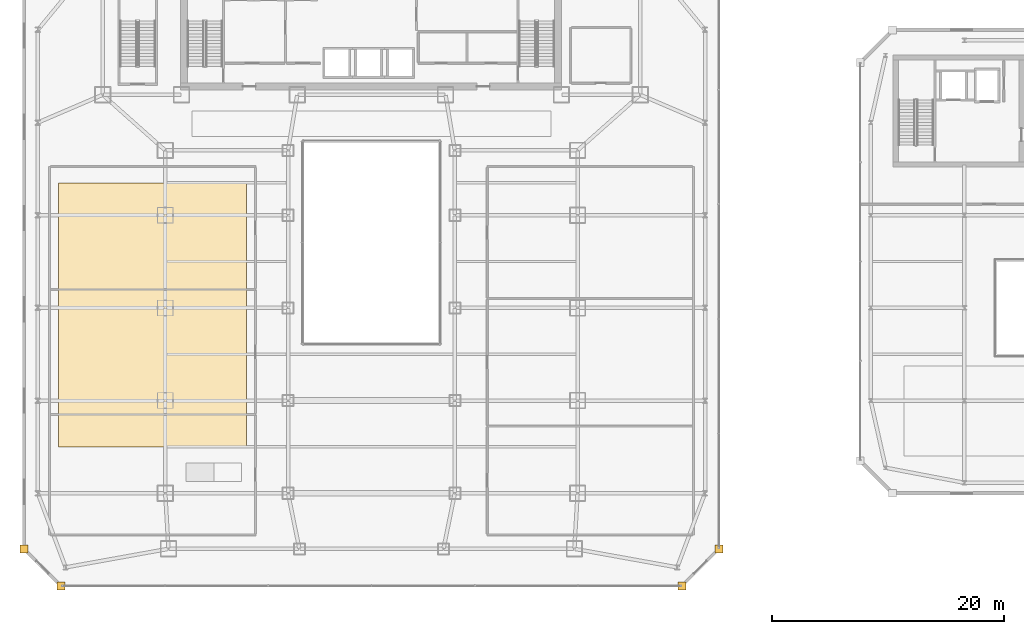
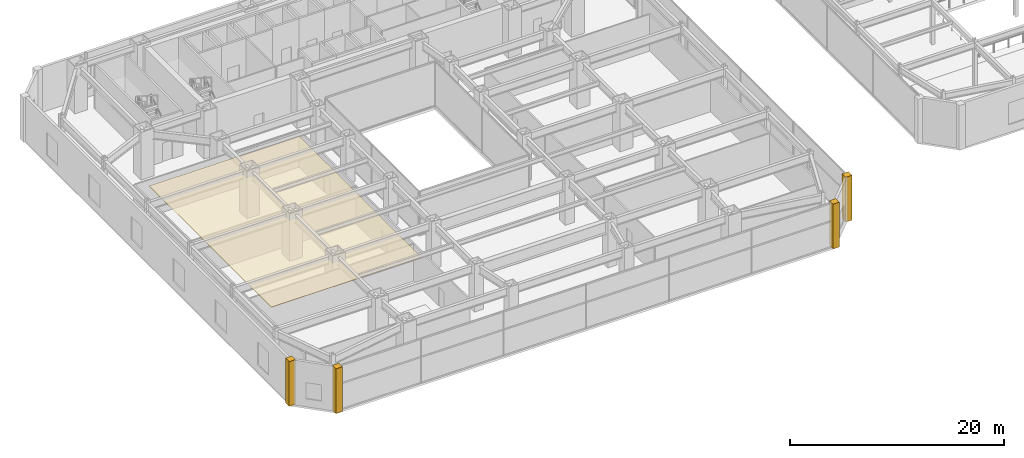
# One storey, part 45 of 52: 5 coverings.
"""IFC4 building model written with IfcOpenShell, lengths in metres."""

from ifc_helpers import new_model, si_unit, direction, frame, origin, place, context, subcontext, project, spatial, polyline, outline, extrude, material, layer, layer_set, type_object, element, save


model = new_model("IFC4")

# Units and contexts
model_context = context("Model", 3, precision=1e-05, world=origin(), true_north=direction((0.0, 1.0)))
body_context = subcontext(model_context, "Body", "Model", "MODEL_VIEW")
ifc_project = project(units=[si_unit("LENGTHUNIT", "METRE"), si_unit("AREAUNIT", "SQUARE_METRE"), si_unit("VOLUMEUNIT", "CUBIC_METRE"), si_unit("PLANEANGLEUNIT", "RADIAN"), si_unit("MASSUNIT", "GRAM", prefix="KILO")], contexts=[model_context])

# Site, building, storey
site_placement = place(None, origin())
site = spatial("IfcSite", under=ifc_project, at=site_placement, CompositionType="ELEMENT")
building_placement = place(site_placement, origin())
building = spatial("IfcBuilding", under=site, at=building_placement, Name="Saevonmaru Cultural Tower", CompositionType="ELEMENT")
storey_placement = place(building_placement, frame((0.0, 0.0, 16.800048828125)))
storey = spatial("IfcBuildingStorey", under=building, at=storey_placement, Name="L03", CompositionType="ELEMENT", Elevation=16.800048828125)

# Coverings
ifc_material = material(Name="Satin Bronze Anodised Aluminium", Category="aluminium")
ifc_layer_1 = layer(ifc_material, 0.06494140625, Name="Satin Bronze Anodised Aluminium")
ifc_layer_set_1 = layer_set([ifc_layer_1], Name="Satin Bronze Anodised Aluminium")
covering_type_1 = type_object("IfcCoveringType", Name="CV-CEIL-BAFFLE", PredefinedType="CEILING", material=ifc_layer_set_1)
covering_1_placement = place(storey_placement, frame((0.0, 0.0, 4.550048828125)))
element("IfcCovering", 1, at=covering_1_placement, inside=storey, type_object=covering_type_1, Name="L03 Cultural Wing Acoustic Suspended Ceiling", PredefinedType="CEILING", context=body_context, shape_type="SweptSolid", body=[
    extrude(outline(polyline([(3.0, 12.0), (19.199951171875, 12.0), (19.199951171875, 34.800048828125), (3.0, 34.800048828125), (3.0, 12.0)])), origin(), (0.0, 0.0, 1.0), 0.0498046875),
])
ifc_layer_2 = layer(ifc_material, 0.679931640625, Name="Satin Bronze Anodised Aluminium")
ifc_layer_set_2 = layer_set([ifc_layer_2], Name="Satin Bronze Anodised Aluminium")
covering_type_2 = type_object("IfcCoveringType", Name="CV-CORNER-CLAD", PredefinedType="CLADDING", material=ifc_layer_set_2)
covering_2_placement = place(storey_placement, origin())
element("IfcCovering", 2, at=covering_2_placement, inside=storey, type_object=covering_type_2, Name="L03 Podium Bronze Corner Cladding Pier 1", PredefinedType="CLADDING", context=body_context, shape_type="SweptSolid", body=[
    extrude(outline(polyline([(-0.340087890625, 2.860107421875), (0.340087890625, 2.860107421875), (0.340087890625, 3.5400390625), (-0.340087890625, 3.5400390625), (-0.340087890625, 2.860107421875)])), origin(), (0.0, 0.0, 1.0), 5.099853515625),
])
covering_3_placement = place(storey_placement, origin())
element("IfcCovering", 3, at=covering_3_placement, inside=storey, type_object=covering_type_2, Name="L03 Podium Bronze Corner Cladding Pier 2", PredefinedType="CLADDING", context=body_context, shape_type="SweptSolid", body=[
    extrude(outline(polyline([(2.860107421875, -0.340087890625), (3.5400390625, -0.340087890625), (3.5400390625, 0.340087890625), (2.860107421875, 0.340087890625), (2.860107421875, -0.340087890625)])), origin(), (0.0, 0.0, 1.0), 5.099853515625),
])
covering_4_placement = place(storey_placement, origin())
element("IfcCovering", 4, at=covering_4_placement, inside=storey, type_object=covering_type_2, Name="L03 Podium Bronze Corner Cladding Pier 3", PredefinedType="CLADDING", context=body_context, shape_type="SweptSolid", body=[
    extrude(outline(polyline([(56.4599609375, -0.340087890625), (57.139892578125, -0.340087890625), (57.139892578125, 0.340087890625), (56.4599609375, 0.340087890625), (56.4599609375, -0.340087890625)])), origin(), (0.0, 0.0, 1.0), 5.099853515625),
])
covering_5_placement = place(storey_placement, origin())
element("IfcCovering", 5, at=covering_5_placement, inside=storey, type_object=covering_type_2, Name="L03 Podium Bronze Corner Cladding Pier 4", PredefinedType="CLADDING", context=body_context, shape_type="SweptSolid", body=[
    extrude(outline(polyline([(59.659912109375, 2.860107421875), (60.340087890625, 2.860107421875), (60.340087890625, 3.5400390625), (59.659912109375, 3.5400390625), (59.659912109375, 2.860107421875)])), origin(), (0.0, 0.0, 1.0), 5.099853515625),
])

save(model, "model.ifc")
